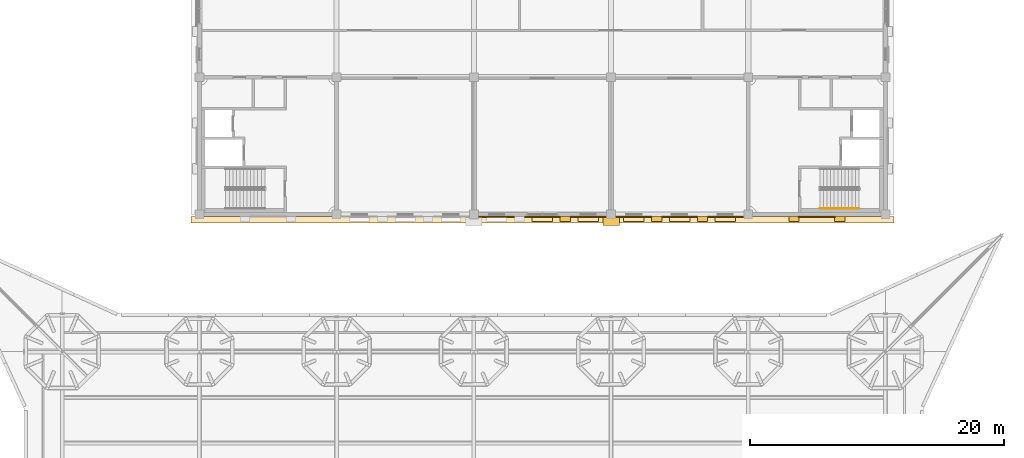
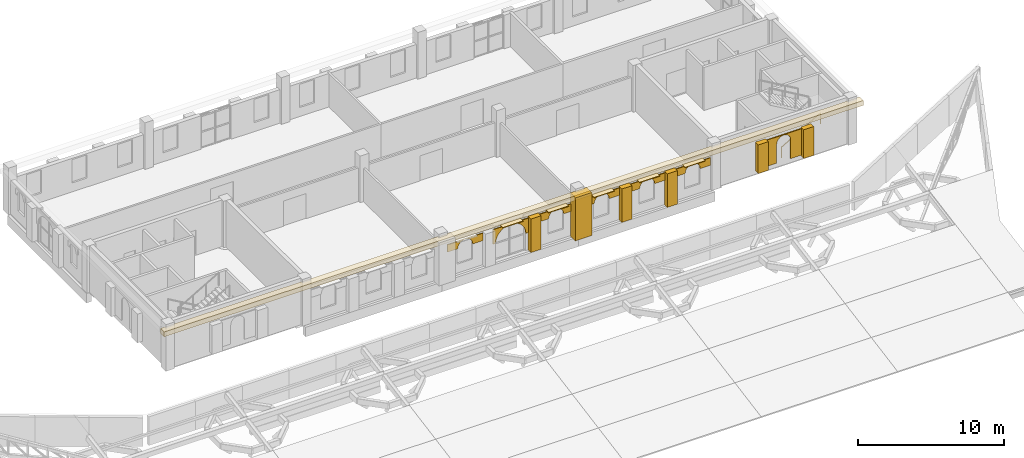
# One storey, part 30 of 32: 19 coverings, 1 railing.
"""IFC4 building model written with IfcOpenShell, lengths in metres."""

from ifc_helpers import new_model, si_unit, direction, frame, origin, origin_2d, place, context, subcontext, project, spatial, polyline, rectangle, circle, outline, extrude, material, layer, layer_set, type_object, element, save


model = new_model("IFC4")

# Units and contexts
model_context = context("Model", 3, precision=1e-05, world=origin(), true_north=direction((0.0, 1.0)))
body_context = subcontext(model_context, "Body", "Model", "MODEL_VIEW")
ifc_project = project(units=[si_unit("LENGTHUNIT", "METRE"), si_unit("AREAUNIT", "SQUARE_METRE"), si_unit("VOLUMEUNIT", "CUBIC_METRE"), si_unit("PLANEANGLEUNIT", "RADIAN"), si_unit("MASSUNIT", "GRAM", prefix="KILO")], contexts=[model_context])

# Site, building, storey
site_placement = place(None, origin())
site = spatial("IfcSite", under=ifc_project, at=site_placement, CompositionType="ELEMENT")
building_placement = place(site_placement, origin())
building = spatial("IfcBuilding", under=site, at=building_placement, Name="Magnolia Steps Interchange", CompositionType="ELEMENT")
storey_placement = place(building_placement, frame((0.0, 0.0, 16.5)))
storey = spatial("IfcBuildingStorey", under=building, at=storey_placement, Name="L04", CompositionType="ELEMENT", Elevation=16.5)

# Coverings
ifc_material_1 = material(Name="Lime render")
ifc_layer_1 = layer(ifc_material_1, 0.080078125)
ifc_layer_set_1 = layer_set([ifc_layer_1], Name="Lime render arch infill")
covering_type_1 = type_object("IfcCoveringType", Name="Lime render arch infill", PredefinedType="CLADDING", material=ifc_layer_set_1)
covering_1_placement = place(storey_placement, frame((89.60009765625, 96.237548828125, 1.47998046875), z_axis=(0.0, 1.0, 0.0), x_axis=(0.0, 0.0, 1.0)))
element("IfcCovering", 1, at=covering_1_placement, inside=storey, type_object=covering_type_1, Name="Arched head over opening g2", PredefinedType="CLADDING", context=body_context, shape_type="SweptSolid", body=[
    extrude(outline(polyline([(0.0, 0.0), (1.219970703, 0.0), (1.219970703, 2.799804688), (0.0, 2.799804688), (0.0, 2.599853516), (0.267089844, 2.569824219), (0.520751953, 2.481201172), (0.748291016, 2.338134766), (0.938232422, 2.148193359), (1.081298828, 1.920654297), (1.169921875, 1.666992188), (1.199951172, 1.399902344), (1.169921875, 1.1328125), (1.081298828, 0.879150391), (0.938232422, 0.651611328), (0.748291016, 0.461669922), (0.520751953, 0.318603516), (0.267089844, 0.229980469), (0.0, 0.199951172), (0.0, 0.0)])), origin(), (0.0, 0.0, -1.0), 0.080078125),
])
covering_2_placement = place(storey_placement, frame((86.0, 96.237548828125, 2.080078125), z_axis=(0.0, 1.0, 0.0), x_axis=(0.0, 0.0, 1.0)))
element("IfcCovering", 2, at=covering_2_placement, inside=storey, type_object=covering_type_1, Name="Arched head over opening W01260", PredefinedType="CLADDING", context=body_context, shape_type="SweptSolid", body=[
    extrude(outline(polyline([(0.0, 0.0), (0.619873047, 0.0), (0.619873047, 2.800048828), (0.0, 2.800048828), (0.0, 2.0), (0.133300781, 1.985107422), (0.260253906, 1.940673828), (0.374023438, 1.869140625), (0.468994141, 1.774169922), (0.540527344, 1.660400391), (0.584960938, 1.533447266), (0.599853516, 1.399902344), (0.584960938, 1.266601562), (0.540527344, 1.139648438), (0.468994141, 1.025878906), (0.374023438, 0.930908203), (0.260253906, 0.859375), (0.133300781, 0.814941406), (0.0, 0.800048828), (0.0, 0.0)])), origin(), (0.0, 0.0, -1.0), 0.080078125),
])
covering_3_placement = place(storey_placement, frame((93.199951171875, 96.237548828125, 2.080078125), z_axis=(0.0, 1.0, 0.0), x_axis=(0.0, 0.0, 1.0)))
element("IfcCovering", 3, at=covering_3_placement, inside=storey, type_object=covering_type_1, Name="Arched head over opening W00240", PredefinedType="CLADDING", context=body_context, shape_type="SweptSolid", body=[
    extrude(outline(polyline([(0.0, 0.0), (0.619873047, 0.0), (0.619873047, 2.800048828), (0.0, 2.800048828), (0.0, 2.0), (0.133300781, 1.985107422), (0.260253906, 1.940673828), (0.374023438, 1.869140625), (0.468994141, 1.774169922), (0.540527344, 1.660400391), (0.584960938, 1.533447266), (0.599853516, 1.400146484), (0.584960938, 1.266601562), (0.540527344, 1.139648438), (0.468994141, 1.025878906), (0.374023438, 0.930908203), (0.260253906, 0.859375), (0.133300781, 0.814941406), (0.0, 0.800048828), (0.0, 0.0)])), origin(), (0.0, 0.0, -1.0), 0.080078125),
])
covering_4_placement = place(storey_placement, frame((96.800048828125, 96.237548828125, 2.080078125), z_axis=(0.0, 1.0, 0.0), x_axis=(0.0, 0.0, 1.0)))
element("IfcCovering", 4, at=covering_4_placement, inside=storey, type_object=covering_type_1, Name="Arched head over opening W00600", PredefinedType="CLADDING", context=body_context, shape_type="SweptSolid", body=[
    extrude(outline(polyline([(0.0, 0.0), (0.619873047, 0.0), (0.619873047, 2.800048828), (0.0, 2.800048828), (0.0, 2.0), (0.133300781, 1.984863281), (0.260253906, 1.940429688), (0.374023438, 1.869140625), (0.468994141, 1.774169922), (0.540527344, 1.66015625), (0.584960938, 1.533447266), (0.599853516, 1.399902344), (0.584960938, 1.266357422), (0.540527344, 1.139648438), (0.468994141, 1.025878906), (0.374023438, 0.930908203), (0.260253906, 0.859375), (0.133300781, 0.814941406), (0.0, 0.800048828), (0.0, 0.0)])), origin(), (0.0, 0.0, -1.0), 0.080078125),
])
covering_5_placement = place(storey_placement, frame((100.39990234375, 96.237548828125, 2.080078125), z_axis=(0.0, 1.0, 0.0), x_axis=(0.0, 0.0, 1.0)))
element("IfcCovering", 5, at=covering_5_placement, inside=storey, type_object=covering_type_1, Name="Arched head over opening W00960", PredefinedType="CLADDING", context=body_context, shape_type="SweptSolid", body=[
    extrude(outline(polyline([(0.0, 0.0), (0.619873047, 0.0), (0.619873047, 2.800048828), (0.0, 2.800048828), (0.0, 2.0), (0.133300781, 1.985107422), (0.260253906, 1.940673828), (0.374023438, 1.869140625), (0.468994141, 1.774169922), (0.540527344, 1.660400391), (0.584960938, 1.533691406), (0.599853516, 1.400146484), (0.584960938, 1.266601562), (0.540527344, 1.139892578), (0.468994141, 1.025878906), (0.374023438, 0.930908203), (0.260253906, 0.859619141), (0.133300781, 0.815185547), (0.0, 0.800048828), (0.0, 0.0)])), origin(), (0.0, 0.0, -1.0), 0.080078125),
])
covering_6_placement = place(storey_placement, frame((104.0, 96.237548828125, 2.080078125), z_axis=(0.0, 1.0, 0.0), x_axis=(0.0, 0.0, 1.0)))
element("IfcCovering", 6, at=covering_6_placement, inside=storey, type_object=covering_type_1, Name="Arched head over opening W01320", PredefinedType="CLADDING", context=body_context, shape_type="SweptSolid", body=[
    extrude(outline(polyline([(0.0, 0.0), (0.619873047, 0.0), (0.619873047, 2.800048828), (0.0, 2.800048828), (0.0, 2.0), (0.133300781, 1.985107422), (0.260253906, 1.940673828), (0.374023438, 1.869140625), (0.468994141, 1.774169922), (0.540527344, 1.660400391), (0.584960938, 1.533447266), (0.599853516, 1.399902344), (0.584960938, 1.266601562), (0.540527344, 1.139648438), (0.468994141, 1.025878906), (0.374023438, 0.930908203), (0.260253906, 0.859375), (0.133300781, 0.814941406), (0.0, 0.800048828), (0.0, 0.0)])), origin(), (0.0, 0.0, -1.0), 0.080078125),
])
covering_7_placement = place(storey_placement, frame((111.14990234375, 96.25, 0.39990234375), z_axis=(0.0, 1.0, 0.0), x_axis=(0.0, 0.0, 1.0)))
element("IfcCovering", 7, at=covering_7_placement, inside=storey, type_object=covering_type_1, Name="Arched niche OC-E L04 S", PredefinedType="CLADDING", context=body_context, shape_type="SweptSolid", body=[
    extrude(outline(polyline([(0.0, 0.0), (2.200195312, 0.0), (2.200195312, 2.900146484), (0.0, 2.900146484), (0.0, 2.0), (1.600097656, 2.0), (1.742431641, 1.981445312), (1.875, 1.926513672), (1.989013672, 1.839111328), (2.076416016, 1.725097656), (2.131347656, 1.592529297), (2.150146484, 1.450195312), (2.131347656, 1.307617188), (2.076416016, 1.175048828), (1.989013672, 1.061279297), (1.875, 0.973876953), (1.742431641, 0.918701172), (1.600097656, 0.900146484), (0.0, 0.900146484), (0.0, 0.0)])), origin(), (0.0, 0.0, -1.0), 0.080078125),
])
ifc_material_2 = material(Name="Lime render")
ifc_layer_2 = layer(ifc_material_2, 0.1201171875)
ifc_layer_set_2 = layer_set([ifc_layer_2], Name="Lime render band")
covering_type_2 = type_object("IfcCoveringType", Name="Lime render band", PredefinedType="CLADDING", material=ifc_layer_set_2)
covering_8_placement = place(storey_placement, frame((91.0, 95.987548828125, 3.199951171875), z_axis=(0.0, 0.0, 1.0), x_axis=(1.0, 0.0, 0.0)))
element("IfcCovering", 8, at=covering_8_placement, inside=storey, type_object=covering_type_2, Name="String course L04 S", PredefinedType="CLADDING", context=body_context, shape_type="SweptSolid", body=[
    extrude(rectangle(XDim=55.324951171875, YDim=0.5, at=origin_2d()), origin(), (0.0, 0.0, 1.0), 0.39990234375),
])
ifc_material_3 = material(Name="Lime render")
ifc_layer_3 = layer(ifc_material_3, 0.39990234375)
ifc_layer_set_3 = layer_set([ifc_layer_3], Name="Lime render pilaster")
covering_type_3 = type_object("IfcCoveringType", Name="Lime render pilaster", PredefinedType="CLADDING", material=ifc_layer_set_3)
for number, where, z_axis, x_axis, name in (
    (9, (92.800048828125, 96.03759765625, 0.0), (0.0, 0.0, 1.0), (1.0, 0.0, 0.0), "Pilaster L04 S 4"),
    (10, (100.0, 96.03759765625, 0.0), (0.0, 0.0, 1.0), (1.0, 0.0, 0.0), "Pilaster L04 S 5"),
    (11, (103.60009765625, 96.03759765625, 0.0), (0.0, 0.0, 1.0), (1.0, 0.0, 0.0), "Pilaster L04 S 6"),
):
    element("IfcCovering", number, at=place(storey_placement, frame(where, z_axis=z_axis, x_axis=x_axis)), inside=storey, type_object=covering_type_3, Name=name, PredefinedType="CLADDING", context=body_context, shape_type="SweptSolid", body=[
        extrude(rectangle(XDim=0.800048828125, YDim=0.39990234375, at=origin_2d()), origin(), (0.0, 0.0, 1.0), 2.800048828125),
    ])
for number, where, z_axis, x_axis, name in (
    (12, (110.800048828125, 96.050048828125, 0.300048828125), (0.0, 0.0, 1.0), (1.0, 0.0, 0.0), "Core pilaster OC-E L04 S 1"),
    (13, (114.39990234375, 96.050048828125, 0.300048828125), (0.0, 0.0, 1.0), (1.0, 0.0, 0.0), "Core pilaster OC-E L04 S 2"),
):
    element("IfcCovering", number, at=place(storey_placement, frame(where, z_axis=z_axis, x_axis=x_axis)), inside=storey, type_object=covering_type_3, Name=name, PredefinedType="CLADDING", context=body_context, shape_type="SweptSolid", body=[
        extrude(rectangle(XDim=0.800048828125, YDim=0.39990234375, at=origin_2d()), origin(), (0.0, 0.0, 1.0), 2.39990234375),
    ])
covering_9_placement = place(storey_placement, frame((96.39990234375, 95.875, 0.0), z_axis=(0.0, 0.0, 1.0), x_axis=(1.0, 0.0, 0.0)))
element("IfcCovering", 14, at=covering_9_placement, inside=storey, type_object=covering_type_3, Name="Giant pilaster L04 2", PredefinedType="CLADDING", context=body_context, shape_type="SweptSolid", body=[
    extrude(rectangle(XDim=1.300048828125, YDim=0.699951171875, at=origin_2d()), origin(), (0.0, 0.0, 1.0), 3.60009765625),
])

# Railing
ifc_material_4 = material(Name="Stainless steel grade 304", Category="steel")
railing_type = type_object("IfcRailingType", Name="Stair handrail 900", PredefinedType="HANDRAIL", material=ifc_material_4)
railing_placement = place(storey_placement, frame((112.85009765625, 96.8740234375, 0.16259765625)))
element("IfcRailing", 15, at=railing_placement, inside=storey, type_object=railing_type, Name="L04 ST29 stair handrail 1", PredefinedType="HANDRAIL", context=body_context, shape_type="SweptSolid", body=[
    extrude(circle(Radius=0.02392578125, at=origin_2d()), frame((0.0, 0.0, 0.8759765625), z_axis=(0.864903211148, 0.0, 0.501938676878), x_axis=(0.0, 1.0, 0.0)), (0.0, 0.0, 1.0), 3.560791015625),
    extrude(circle(Radius=0.02099609375, at=origin_2d()), origin(), (0.0, 0.0, 1.0), 0.851806640625),
    extrude(circle(Radius=0.02099609375, at=origin_2d()), frame((1.026611328125, 0.0, 0.595703125)), (0.0, 0.0, 1.0), 0.851806640625),
    extrude(circle(Radius=0.02099609375, at=origin_2d()), frame((2.05322265625, 0.0, 1.191650390625)), (0.0, 0.0, 1.0), 0.851806640625),
    extrude(circle(Radius=0.02099609375, at=origin_2d()), frame((3.079833984375, 0.0, 1.787353515625)), (0.0, 0.0, 1.0), 0.851806640625),
])

# Coverings
ifc_material_5 = material(Name="Timber", Category="wood")
ifc_layer_4 = layer(ifc_material_5, 0.050048828125)
ifc_layer_set_4 = layer_set([ifc_layer_4], Name="Timber sunshade louvre")
covering_type_4 = type_object("IfcCoveringType", Name="Timber sunshade louvre", PredefinedType="CLADDING", material=ifc_layer_set_4)
for number, where, z_axis, x_axis, name in (
    (16, (91.0, 96.02490234375, 2.8251953125), (0.0, 0.0, 1.0), (1.0, 0.0, 0.0), "Sunshade louvre L04 5"),
    (17, (94.60009765625, 96.02490234375, 2.8251953125), (0.0, 0.0, 1.0), (1.0, 0.0, 0.0), "Sunshade louvre L04 6"),
    (18, (98.199951171875, 96.02490234375, 2.8251953125), (0.0, 0.0, 1.0), (1.0, 0.0, 0.0), "Sunshade louvre L04 7"),
    (19, (101.800048828125, 96.02490234375, 2.8251953125), (0.0, 0.0, 1.0), (1.0, 0.0, 0.0), "Sunshade louvre L04 8"),
    (20, (105.39990234375, 96.02490234375, 2.8251953125), (0.0, 0.0, 1.0), (1.0, 0.0, 0.0), "Sunshade louvre L04 9"),
):
    element("IfcCovering", number, at=place(storey_placement, frame(where, z_axis=z_axis, x_axis=x_axis)), inside=storey, type_object=covering_type_4, Name=name, PredefinedType="CLADDING", context=body_context, shape_type="SweptSolid", body=[
        extrude(rectangle(XDim=1.60009765625, YDim=0.39990234375, at=origin_2d()), origin(), (0.0, 0.0, 1.0), 0.050048828125),
    ])

save(model, "model.ifc")
